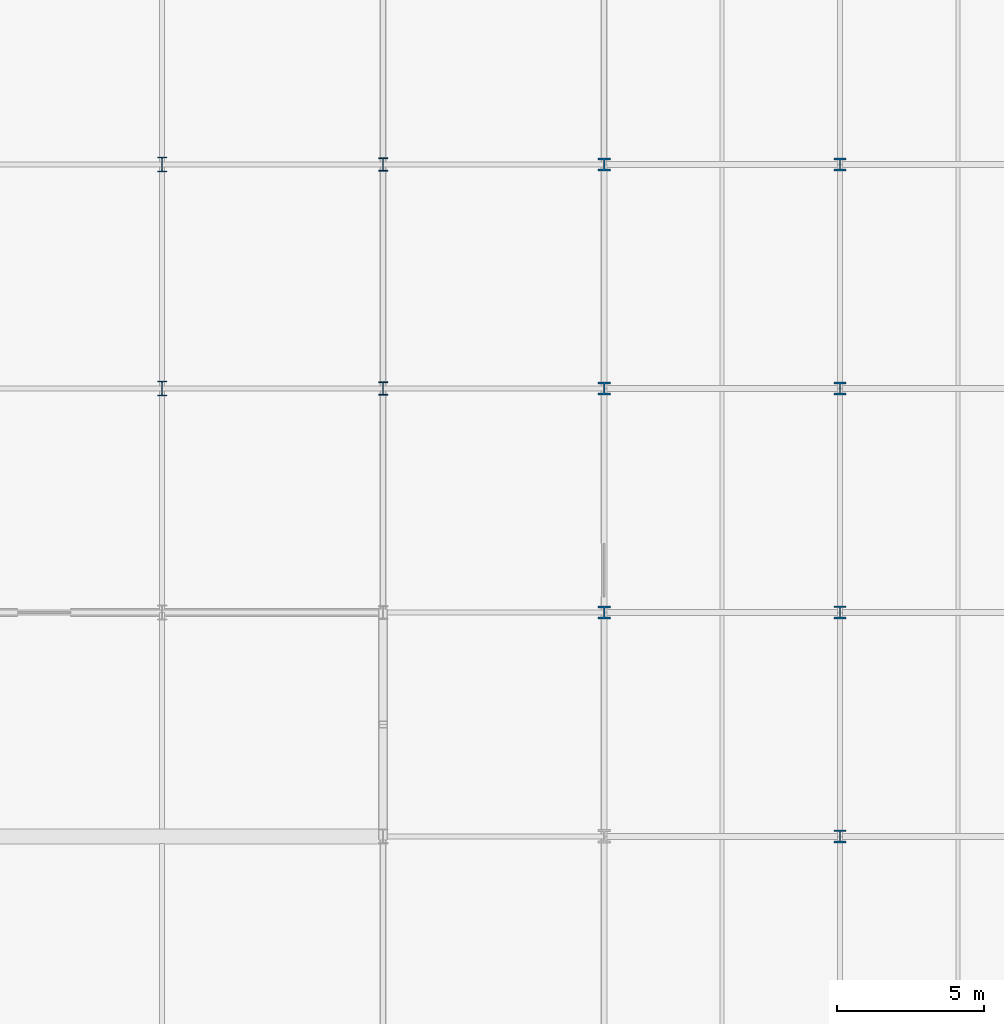
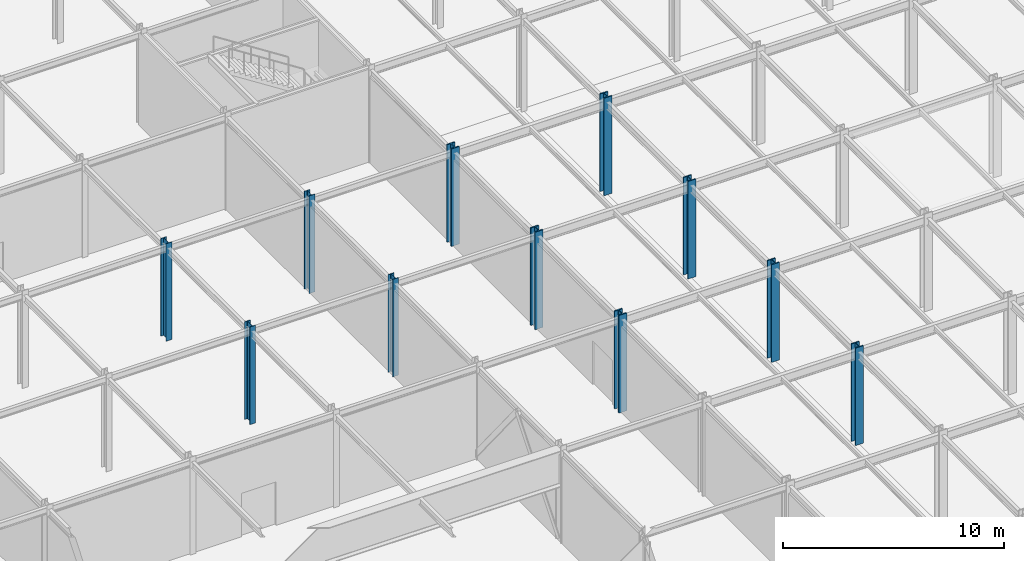
# One storey, part 4 of 89: 11 columns.
"""IFC4 building model written with IfcOpenShell, lengths in metres."""

from ifc_helpers import new_model, si_unit, direction, frame, origin, origin_2d, place, context, subcontext, project, spatial, i_section, extrude, material, material_profile, profile_set, type_object, element, save


model = new_model("IFC4")

# Units and contexts
model_context = context("Model", 3, precision=1e-05, world=origin(), true_north=direction((0.0, 1.0)))
body_context = subcontext(model_context, "Body", "Model", "MODEL_VIEW")
ifc_project = project(units=[si_unit("LENGTHUNIT", "METRE"), si_unit("AREAUNIT", "SQUARE_METRE"), si_unit("VOLUMEUNIT", "CUBIC_METRE"), si_unit("PLANEANGLEUNIT", "RADIAN"), si_unit("MASSUNIT", "GRAM", prefix="KILO")], contexts=[model_context])

# Site, building, storey
site_placement = place(None, origin())
site = spatial("IfcSite", under=ifc_project, at=site_placement, CompositionType="ELEMENT")
building_placement = place(site_placement, origin())
building = spatial("IfcBuilding", under=site, at=building_placement, Name="Shalkamar Park Central Library", CompositionType="ELEMENT")
storey_placement = place(building_placement, origin())
storey = spatial("IfcBuildingStorey", under=building, at=storey_placement, Name="L01", CompositionType="ELEMENT", Elevation=0.0)

# Columns
ifc_material = material(Name="Steel S355", Category="steel")
ifc_material_profile_1 = material_profile(ifc_material, i_section(OverallWidth=0.412109375, OverallDepth=0.43505859375, WebThickness=0.035888671875, FlangeThickness=0.057373046875, FilletRadius=0.014892578125, at=origin_2d()), Name="HD 400x463")
ifc_profile_set_1 = profile_set([ifc_material_profile_1], Name="Steel S355")
column_type_1 = type_object("IfcColumnType", Name="Column Steel HD400x463", PredefinedType="COLUMN", material=ifc_profile_set_1)
for number, where, z_axis, x_axis, name in (
    (1, (173.0, 270.39990234375, 0.0), (0.0, 0.0, 1.0), (1.0, 0.0, 0.0), "Column 08/E (L01)"),
    (2, (173.0, 278.0, 0.0), (0.0, 0.0, 1.0), (1.0, 0.0, 0.0), "Column 08/F (L01)"),
    (3, (173.0, 285.60009765625, 0.0), (0.0, 0.0, 1.0), (1.0, 0.0, 0.0), "Column 08/G (L01)"),
    (4, (173.0, 293.199951171875, 0.0), (0.0, 0.0, 1.0), (1.0, 0.0, 0.0), "Column 08/H (L01)"),
):
    element("IfcColumn", number, at=place(storey_placement, frame(where, z_axis=z_axis, x_axis=x_axis)), inside=storey, type_object=column_type_1, Name=name, PredefinedType="COLUMN", context=body_context, shape_type="SweptSolid", body=[
        extrude(i_section(OverallWidth=0.412109375, OverallDepth=0.43505859375, WebThickness=0.035888671875, FlangeThickness=0.057373046875, FilletRadius=0.014892578125, at=origin_2d()), origin(), (0.0, 0.0, 1.0), 5.39990234375),
    ])
ifc_material_profile_2 = material_profile(ifc_material, i_section(OverallWidth=0.41796875, OverallDepth=0.455078125, WebThickness=0.0419921875, FlangeThickness=0.067626953125, FilletRadius=0.014892578125, at=origin_2d()), Name="HD 400x551")
ifc_profile_set_2 = profile_set([ifc_material_profile_2], Name="Steel S355")
column_type_2 = type_object("IfcColumnType", Name="Column Steel HD400x551", PredefinedType="COLUMN", material=ifc_profile_set_2)
for number, where, z_axis, x_axis, name in (
    (5, (165.0, 278.0, 0.0), (0.0, 0.0, 1.0), (1.0, 0.0, 0.0), "Column 07/F (L01)"),
    (6, (165.0, 285.60009765625, 0.0), (0.0, 0.0, 1.0), (1.0, 0.0, 0.0), "Column 07/G (L01)"),
    (7, (165.0, 293.199951171875, 0.0), (0.0, 0.0, 1.0), (1.0, 0.0, 0.0), "Column 07/H (L01)"),
):
    element("IfcColumn", number, at=place(storey_placement, frame(where, z_axis=z_axis, x_axis=x_axis)), inside=storey, type_object=column_type_2, Name=name, PredefinedType="COLUMN", context=body_context, shape_type="SweptSolid", body=[
        extrude(i_section(OverallWidth=0.41796875, OverallDepth=0.455078125, WebThickness=0.0419921875, FlangeThickness=0.067626953125, FilletRadius=0.014892578125, at=origin_2d()), origin(), (0.0, 0.0, 1.0), 5.39990234375),
    ])
ifc_material_profile_3 = material_profile(ifc_material, i_section(OverallWidth=0.300048828125, OverallDepth=0.449951171875, WebThickness=0.013916015625, FlangeThickness=0.02587890625, FilletRadius=0.027099609375, at=origin_2d()), Name="HEB 450")
ifc_profile_set_3 = profile_set([ifc_material_profile_3], Name="Steel S355")
column_type_3 = type_object("IfcColumnType", Name="Column Steel HEB450", PredefinedType="COLUMN", material=ifc_profile_set_3)
for number, where, z_axis, x_axis, name in (
    (8, (157.5, 285.60009765625, 0.0), (0.0, 0.0, 1.0), (1.0, 0.0, 0.0), "Column 06/G (L01)"),
    (9, (157.5, 293.199951171875, 0.0), (0.0, 0.0, 1.0), (1.0, 0.0, 0.0), "Column 06/H (L01)"),
):
    element("IfcColumn", number, at=place(storey_placement, frame(where, z_axis=z_axis, x_axis=x_axis)), inside=storey, type_object=column_type_3, Name=name, PredefinedType="COLUMN", context=body_context, shape_type="SweptSolid", body=[
        extrude(i_section(OverallWidth=0.300048828125, OverallDepth=0.449951171875, WebThickness=0.013916015625, FlangeThickness=0.02587890625, FilletRadius=0.027099609375, at=origin_2d()), origin(), (0.0, 0.0, 1.0), 5.39990234375),
    ])
ifc_material_profile_4 = material_profile(ifc_material, i_section(OverallWidth=0.300048828125, OverallDepth=0.5, WebThickness=0.014404296875, FlangeThickness=0.028076171875, FilletRadius=0.027099609375, at=origin_2d()), Name="HEB 500")
ifc_profile_set_4 = profile_set([ifc_material_profile_4], Name="Steel S355")
column_type_4 = type_object("IfcColumnType", Name="Column Steel HEB500", PredefinedType="COLUMN", material=ifc_profile_set_4)
for number, where, z_axis, x_axis, name in (
    (10, (150.0, 285.60009765625, 0.0), (0.0, 0.0, 1.0), (1.0, 0.0, 0.0), "Column 05/G (L01)"),
    (11, (150.0, 293.199951171875, 0.0), (0.0, 0.0, 1.0), (1.0, 0.0, 0.0), "Column 05/H (L01)"),
):
    element("IfcColumn", number, at=place(storey_placement, frame(where, z_axis=z_axis, x_axis=x_axis)), inside=storey, type_object=column_type_4, Name=name, PredefinedType="COLUMN", context=body_context, shape_type="SweptSolid", body=[
        extrude(i_section(OverallWidth=0.300048828125, OverallDepth=0.5, WebThickness=0.014404296875, FlangeThickness=0.028076171875, FilletRadius=0.027099609375, at=origin_2d()), origin(), (0.0, 0.0, 1.0), 5.39990234375),
    ])

save(model, "model.ifc")
